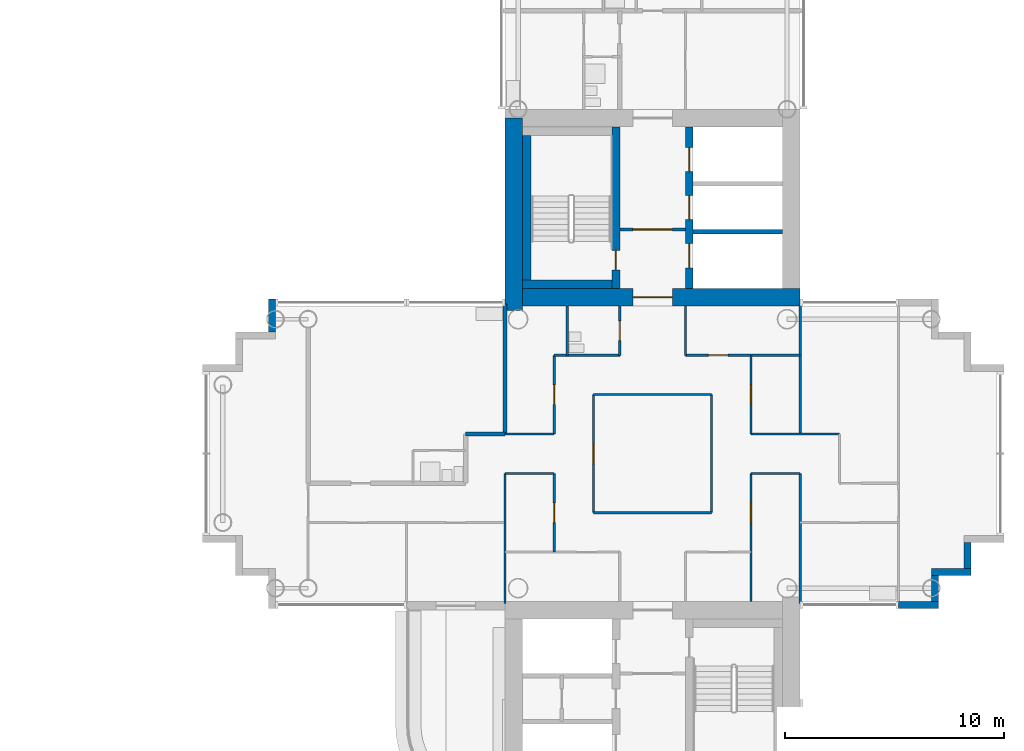
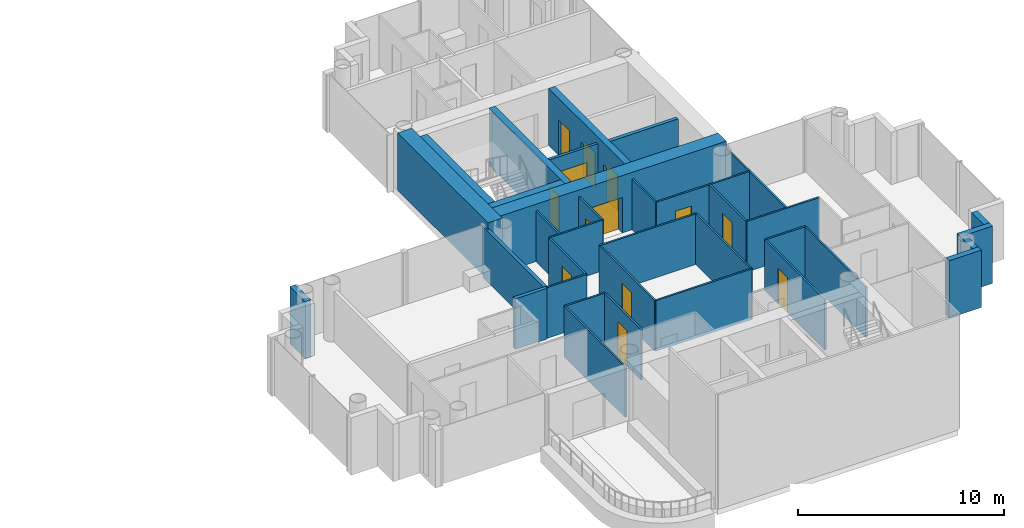
# One storey, part 11 of 19: 35 walls, 13 doors, 13 openings.
"""IFC4 building model written with IfcOpenShell, lengths in metres."""

import ifcopenshell
import ifcopenshell.guid

model = None  # the IFC model being written
_history = None  # IfcOwnerHistory: only IFC2X3 demands one
_inside = {}  # id of a spatial element -> (the spatial element, [elements in it])
_under = {}  # id of a project, library or spatial element -> (it, [spatial elements below it])
_declared = {}  # id of a project -> (the project, [libraries it declares])
_typed = {}  # id of a type object -> (the type object, [elements of that type])
_made_of = {}  # id of a material, layer set ... -> (it, [elements and type objects made of it])


def new_model(schema):
    """Start an empty IFC model of exactly this schema.

    Asked for "IFC4X3", IfcOpenShell would pick the latest addendum, in which some entities
    have other attributes; the version numbers below select the first issue.
    IFC2X3 requires an IfcOwnerHistory on every rooted entity: one is made here for all.
    """
    global model, _history
    if schema == "IFC4X3":
        model = ifcopenshell.file(schema_version=(4, 3, 0, 0))
    else:
        model = ifcopenshell.file(schema=schema)
    _inside.clear()
    _under.clear()
    _declared.clear()
    _typed.clear()
    _made_of.clear()
    _history = None
    if model.schema == "IFC2X3":
        org = make("IfcOrganization", Name="unknown")
        user = make(
            "IfcPersonAndOrganization",
            ThePerson=make("IfcPerson", FamilyName="unknown"),
            TheOrganization=org,
        )
        app = make(
            "IfcApplication",
            ApplicationDeveloper=org,
            Version="unknown",
            ApplicationFullName="unknown",
            ApplicationIdentifier="unknown",
        )
        _history = make(
            "IfcOwnerHistory",
            OwningUser=user,
            OwningApplication=app,
            ChangeAction="ADDED",
            CreationDate=0,
        )
    return model


def make(cls, **values):
    """One entity of the class cls with the attributes given. An attribute that is None is left unset."""
    return model.create_entity(
        cls, **{name: value for name, value in values.items() if value is not None}
    )


def rooted(cls, **values):
    """An entity with a GlobalId (a new one), such as an element, a storey or a relation."""
    return make(cls, GlobalId=ifcopenshell.guid.new(), OwnerHistory=_history, **values)


def si_unit(unit_type, name, prefix=None):
    """IfcSIUnit, for example si_unit("LENGTHUNIT", "METRE", prefix="MILLI")."""
    return make("IfcSIUnit", UnitType=unit_type, Prefix=prefix, Name=name)


def assignment(units):
    """IfcUnitAssignment: the units of a project."""
    return None if units is None else make("IfcUnitAssignment", Units=units)


def point(xyz):
    """IfcCartesianPoint."""
    return None if xyz is None else make("IfcCartesianPoint", Coordinates=xyz)


def direction(xyz):
    """IfcDirection."""
    return None if xyz is None else make("IfcDirection", DirectionRatios=xyz)


def frame(location, z_axis=None, x_axis=None):
    """IfcAxis2Placement3D, a coordinate frame: its origin and axes. An axis left out is left unset."""
    return make(
        "IfcAxis2Placement3D",
        Location=point(location),
        Axis=direction(z_axis),
        RefDirection=direction(x_axis),
    )


def frame_2d(location, x_axis=None):
    """IfcAxis2Placement2D, a coordinate frame in the plane: its origin and x axis."""
    return make(
        "IfcAxis2Placement2D", Location=point(location), RefDirection=direction(x_axis)
    )


def origin():
    """The frame at (0, 0, 0) with its axes left unset."""
    return frame((0.0, 0.0, 0.0))


def place(relative_to, where):
    """IfcLocalPlacement: puts the frame where relative to a parent placement (None: the world)."""
    return make(
        "IfcLocalPlacement", PlacementRelTo=relative_to, RelativePlacement=where
    )


def context(
    kind, dimensions, precision=None, world=None, true_north=None, identifier=None
):
    """IfcGeometricRepresentationContext, for example the 3D "Model" context."""
    return make(
        "IfcGeometricRepresentationContext",
        ContextIdentifier=identifier,
        ContextType=kind,
        CoordinateSpaceDimension=dimensions,
        Precision=precision,
        WorldCoordinateSystem=world,
        TrueNorth=true_north,
    )


def subcontext(parent, identifier, kind, view, scale=None):
    """IfcGeometricRepresentationSubContext, for example "Body" below "Model"."""
    return make(
        "IfcGeometricRepresentationSubContext",
        ContextIdentifier=identifier,
        ContextType=kind,
        ParentContext=parent,
        TargetScale=scale,
        TargetView=view,
    )


def project(units=None, contexts=None):
    """IfcProject with its units and contexts."""
    return rooted(
        "IfcProject",
        Name="project",
        RepresentationContexts=contexts,
        UnitsInContext=assignment(units),
    )


def spatial(cls, under=None, at=None, **own):
    """A site, building, storey or space (cls), placed at a placement, below another one or the project."""
    s = rooted(cls, ObjectPlacement=at, **own)
    if under is not None:
        _under.setdefault(under.id(), (under, []))[1].append(s)
    return s


def profile(cls, at=None, kind="AREA", **sizes):
    """A parametric profile (cls). Its sizes go by their IFC names, for example OverallWidth=200.0."""
    return make(cls, ProfileType=kind, Position=at, **sizes)


def rectangle(**sizes):
    """IfcRectangleProfileDef."""
    return profile("IfcRectangleProfileDef", **sizes)


def extrude(swept, where, along, depth):
    """IfcExtrudedAreaSolid: the profile swept, set in the frame where, extruded along a direction by depth."""
    return make(
        "IfcExtrudedAreaSolid",
        SweptArea=swept,
        Position=where,
        ExtrudedDirection=direction(along),
        Depth=depth,
    )


def shape(context_of_items, identifier, shape_type, items):
    """IfcShapeRepresentation: the items that make up one representation, for example the "Body"."""
    return make(
        "IfcShapeRepresentation",
        ContextOfItems=context_of_items,
        RepresentationIdentifier=identifier,
        RepresentationType=shape_type,
        Items=items,
    )


def material(Name=None, Category=None):
    """IfcMaterial."""
    return make("IfcMaterial", Name=Name, Category=Category)


def layer(
    of_material, thickness, ventilated=None, Name=None, Category=None, Priority=None
):
    """IfcMaterialLayer: one layer of a wall or slab, of a material (None: an air gap)."""
    return make(
        "IfcMaterialLayer",
        Material=of_material,
        LayerThickness=thickness,
        IsVentilated=ventilated,
        Name=Name,
        Category=Category,
        Priority=Priority,
    )


def layer_set(layers, Name=None):
    """IfcMaterialLayerSet."""
    return make("IfcMaterialLayerSet", MaterialLayers=layers, LayerSetName=Name)


def made_of(thing, what):
    """Note that an element or type object is made of a material, layer set ...; save() writes the relation."""
    if what is not None:
        _made_of.setdefault(what.id(), (what, []))[1].append(thing)
    return thing


def type_object(cls, material=None, **own):
    """A type object (cls), such as IfcWallType, which elements share."""
    return made_of(rooted(cls, **own), material)


def element(
    cls,
    number,
    at=None,
    inside=None,
    cuts=None,
    type_object=None,
    material=None,
    context=None,
    identifier="Body",
    shape_type=None,
    held_by="IfcProductDefinitionShape",
    body=None,
    shapes=None,
    **own,
):
    """One element of the class cls, such as IfcWall. Its Tag is "e" and its number.

    at: its placement. inside: the storey or other place that contains it. cuts: it is an
    opening in that element (IfcRelVoidsElement). A single representation is given by context,
    identifier, shape_type and body (its items); several are given by shapes. held_by: the class
    of the entity that holds the representations. save() writes the other relations.
    """
    e = rooted(cls, Tag="e%d" % number, ObjectPlacement=at, **own)
    if body is not None:
        shapes = [shape(context, identifier, shape_type, body)]
    if shapes is not None:
        e.Representation = make(held_by, Representations=shapes)
    if inside is not None:
        _inside.setdefault(inside.id(), (inside, []))[1].append(e)
    if cuts is not None:
        rooted(
            "IfcRelVoidsElement", RelatingBuildingElement=cuts, RelatedOpeningElement=e
        )
    if type_object is not None:
        _typed.setdefault(type_object.id(), (type_object, []))[1].append(e)
    return made_of(e, material)


def fill(opening, filler):
    """IfcRelFillsElement: the door or window that sits in an opening."""
    return rooted(
        "IfcRelFillsElement",
        RelatingOpeningElement=opening,
        RelatedBuildingElement=filler,
    )


def aggregate(whole, parts):
    """IfcRelAggregates: a whole, such as a stair, and the parts it consists of."""
    return rooted("IfcRelAggregates", RelatingObject=whole, RelatedObjects=parts)


def save(model, path):
    """Write the relations noted so far, then the file.

    IfcRelAggregates (storeys below a building ...), IfcRelContainedInSpatialStructure (elements
    in a storey), IfcRelDefinesByType, IfcRelAssociatesMaterial and IfcRelDeclares: one each for
    every whole, place, type object, material and project.
    """
    for whole, parts in _under.values():
        aggregate(whole, parts)
    for where, things in _inside.values():
        rooted(
            "IfcRelContainedInSpatialStructure",
            RelatedElements=things,
            RelatingStructure=where,
        )
    for kind, things in _typed.values():
        rooted("IfcRelDefinesByType", RelatedObjects=things, RelatingType=kind)
    for what, things in _made_of.values():
        rooted("IfcRelAssociatesMaterial", RelatedObjects=things, RelatingMaterial=what)
    for by, libraries in _declared.values():
        rooted("IfcRelDeclares", RelatingContext=by, RelatedDefinitions=libraries)
    model.write(path)


model = new_model("IFC4")

# Units and contexts
model_context = context("Model", 3, precision=1e-05, world=origin(), true_north=direction((0.0, 1.0)))
body_context = subcontext(model_context, "Body", "Model", "MODEL_VIEW")
ifc_project = project(units=[si_unit("LENGTHUNIT", "METRE"), si_unit("AREAUNIT", "SQUARE_METRE"), si_unit("VOLUMEUNIT", "CUBIC_METRE"), si_unit("PLANEANGLEUNIT", "RADIAN"), si_unit("MASSUNIT", "GRAM", prefix="KILO")], contexts=[model_context])

# Site, building, storey
site_placement = place(None, origin())
site = spatial("IfcSite", under=ifc_project, at=site_placement, CompositionType="ELEMENT")
building_placement = place(site_placement, origin())
building = spatial("IfcBuilding", under=site, at=building_placement, Name="Ipe Terrace Towers", CompositionType="ELEMENT")
storey_placement = place(building_placement, frame((0.0, 0.0, 147.300048828125)))
storey = spatial("IfcBuildingStorey", under=building, at=storey_placement, Name="L40", CompositionType="ELEMENT", Elevation=147.300048828125)

# Walls
ifc_material_1 = material(Name="Concrete C40/50 with buff precast cladding", Category="concrete")
ifc_layer_1 = layer(ifc_material_1, 0.320068359375)
ifc_layer_set_1 = layer_set([ifc_layer_1], Name="BUFF CLADDING WALL 320")
wall_type_1 = type_object("IfcWallType", Name="BUFF CLADDING WALL 320", PredefinedType="STANDARD", material=ifc_layer_set_1)
wall_1_placement = place(storey_placement, frame((47.25, -6.909912109375, -0.300048828125), z_axis=(0.0, 0.0, 1.0), x_axis=(1.0, 0.0, 0.0)))
element("IfcWall", 1, at=wall_1_placement, inside=storey, type_object=wall_type_1, Name="T2-W-L40-03a wall", PredefinedType="STANDARD", context=body_context, shape_type="SweptSolid", body=[
    extrude(rectangle(XDim=1.820068359375, YDim=0.320068359375, at=frame_2d((0.91015625, 0.0))), origin(), (0.0, 0.0, 1.0), 3.39990234375),
])
wall_2_placement = place(storey_placement, frame((48.909912109375, -6.75, -0.300048828125), z_axis=(0.0, 0.0, 1.0), x_axis=(0.0, 1.0, 0.0)))
element("IfcWall", 2, at=wall_2_placement, inside=storey, type_object=wall_type_1, Name="T2-W-L40-04a wall", PredefinedType="STANDARD", context=body_context, shape_type="SweptSolid", body=[
    extrude(rectangle(XDim=1.179931640625, YDim=0.320068359375, at=frame_2d((0.58984375, 0.0))), origin(), (0.0, 0.0, 1.0), 3.39990234375),
])
wall_3_placement = place(storey_placement, frame((48.75, -5.409912109375, -0.300048828125), z_axis=(0.0, 0.0, 1.0), x_axis=(1.0, 0.0, 0.0)))
element("IfcWall", 3, at=wall_3_placement, inside=storey, type_object=wall_type_1, Name="T2-W-L40-05a wall", PredefinedType="STANDARD", context=body_context, shape_type="SweptSolid", body=[
    extrude(rectangle(XDim=1.820068359375, YDim=0.320068359375, at=frame_2d((0.91015625, 0.0))), origin(), (0.0, 0.0, 1.0), 3.39990234375),
])
wall_4_placement = place(storey_placement, frame((50.409912109375, -5.25, -0.300048828125), z_axis=(0.0, 0.0, 1.0), x_axis=(0.0, 1.0, 0.0)))
element("IfcWall", 4, at=wall_4_placement, inside=storey, type_object=wall_type_1, Name="T2-W-L40-06a wall", PredefinedType="STANDARD", context=body_context, shape_type="SweptSolid", body=[
    extrude(rectangle(XDim=1.179931640625, YDim=0.320068359375, at=frame_2d((0.58984375, 0.0))), origin(), (0.0, 0.0, 1.0), 3.39990234375),
])
wall_5_placement = place(storey_placement, frame((18.590087890625, 7.070068359375, -0.300048828125), z_axis=(0.0, 0.0, 1.0), x_axis=(0.0, -1.0, 0.0)))
element("IfcWall", 5, at=wall_5_placement, inside=storey, type_object=wall_type_1, Name="T2-W-L40-30a wall", PredefinedType="STANDARD", context=body_context, shape_type="SweptSolid", body=[
    extrude(rectangle(XDim=1.5, YDim=0.320068359375, at=frame_2d((0.75, 0.0))), origin(), (0.0, 0.0, 1.0), 3.39990234375),
])
ifc_material_2 = material(Name="Gypsum board partition", Category="plasterboard")
ifc_layer_2 = layer(ifc_material_2, 0.10009765625)
ifc_layer_set_2 = layer_set([ifc_layer_2], Name="Gypsum board partition 100 mm")
wall_type_2 = type_object("IfcWallType", Name="Gypsum board partition 100 mm", PredefinedType="PARTITIONING", material=ifc_layer_set_2)
wall_6_placement = place(storey_placement, frame((38.699951171875, -2.699951171875, 0.0), z_axis=(0.0, 0.0, 1.0), x_axis=(-1.0, 0.0, 0.0)))
element("IfcWall", 6, at=wall_6_placement, inside=storey, type_object=wall_type_2, Name="Gypsum board partition T2 L40 W05", PredefinedType="PARTITIONING", context=body_context, shape_type="SweptSolid", body=[
    extrude(rectangle(XDim=5.39990234375, YDim=0.10009765625, at=frame_2d((2.699951171875, 0.0))), origin(), (0.0, 0.0, 1.0), 3.0),
])
for number, where, z_axis, x_axis, name in (
    (7, (42.75, -0.89990234375, 0.0), (0.0, 0.0, 1.0), (-1.0, 0.0, 0.0), "Gypsum board partition T2 L40 W08"),
    (8, (31.5, -0.89990234375, 0.0), (0.0, 0.0, 1.0), (-1.0, 0.0, 0.0), "Gypsum board partition T2 L40 W09"),
):
    element("IfcWall", number, at=place(storey_placement, frame(where, z_axis=z_axis, x_axis=x_axis)), inside=storey, type_object=wall_type_2, Name=name, PredefinedType="PARTITIONING", context=body_context, shape_type="SweptSolid", body=[
        extrude(rectangle(XDim=2.25, YDim=0.10009765625, at=frame_2d((1.125, 0.0))), origin(), (0.0, 0.0, 1.0), 3.0),
    ])
wall_7_placement = place(storey_placement, frame((44.550048828125, 0.89990234375, 0.0), z_axis=(0.0, 0.0, 1.0), x_axis=(-1.0, 0.0, 0.0)))
element("IfcWall", 9, at=wall_7_placement, inside=storey, type_object=wall_type_2, Name="Gypsum board partition T2 L40 W11", PredefinedType="PARTITIONING", context=body_context, shape_type="SweptSolid", body=[
    extrude(rectangle(XDim=4.050048828125, YDim=0.10009765625, at=frame_2d((2.02490234375, 0.0))), origin(), (0.0, 0.0, 1.0), 3.0),
])
wall_8_placement = place(storey_placement, frame((31.5, 0.89990234375, 0.0), z_axis=(0.0, 0.0, 1.0), x_axis=(-1.0, 0.0, 0.0)))
element("IfcWall", 10, at=wall_8_placement, inside=storey, type_object=wall_type_2, Name="Gypsum board partition T2 L40 W12", PredefinedType="PARTITIONING", context=body_context, shape_type="SweptSolid", body=[
    extrude(rectangle(XDim=2.25, YDim=0.10009765625, at=frame_2d((1.125, 0.0))), origin(), (0.0, 0.0, 1.0), 3.0),
])
wall_9_placement = place(storey_placement, frame((38.699951171875, 2.699951171875, 0.0), z_axis=(0.0, 0.0, 1.0), x_axis=(-1.0, 0.0, 0.0)))
element("IfcWall", 11, at=wall_9_placement, inside=storey, type_object=wall_type_2, Name="Gypsum board partition T2 L40 W14", PredefinedType="PARTITIONING", context=body_context, shape_type="SweptSolid", body=[
    extrude(rectangle(XDim=5.39990234375, YDim=0.10009765625, at=frame_2d((2.699951171875, 0.0))), origin(), (0.0, 0.0, 1.0), 3.0),
])

# Wall, opening, door
wall_10_placement = place(storey_placement, frame((42.75, 4.5, 0.0), z_axis=(0.0, 0.0, 1.0), x_axis=(-1.0, 0.0, 0.0)))
wall_10 = element("IfcWall", 12, at=wall_10_placement, inside=storey, type_object=wall_type_2, Name="Gypsum board partition T2 L40 W15", PredefinedType="PARTITIONING", context=body_context, shape_type="SweptSolid", body=[
    extrude(rectangle(XDim=5.25, YDim=0.10009765625, at=frame_2d((2.625, 0.0))), origin(), (0.0, 0.0, 1.0), 3.0),
])
opening_1_placement = place(wall_10_placement, frame((3.300048828125, 0.0, 0.0)))
opening_1 = element("IfcOpeningElement", 13, at=opening_1_placement, cuts=wall_10, Name="Opening T2-Z3B-09", PredefinedType="OPENING", context=body_context, shape_type="SweptSolid", body=[
    extrude(rectangle(XDim=0.89990234375, YDim=2.10009765625, at=frame_2d((0.449951171875, 1.050048828125))), frame((0.0, 0.06005859375, 0.0), z_axis=(0.0, -1.0, 0.0), x_axis=(1.0, 0.0, 0.0)), (0.0, 0.0, 1.0), 0.1201171875),
])
ifc_material_3 = material(Name="Timber door leaf", Category="wood")
door_type_1 = type_object("IfcDoorType", Name="Lounge door 900 x 2100", OperationType="NOTDEFINED", PredefinedType="DOOR", material=ifc_material_3)
door_1_placement = place(opening_1_placement, origin())
door_1 = element("IfcDoor", 14, at=door_1_placement, inside=storey, type_object=door_type_1, Name="Lounge door T2-Z3B-09", OperationType="SINGLE_SWING_RIGHT", OverallHeight=2.10009765625, OverallWidth=0.89990234375, PredefinedType="DOOR", context=body_context, shape_type="SweptSolid", body=[
    extrude(rectangle(XDim=0.89990234375, YDim=2.10009765625, at=frame_2d((0.449951171875, 1.050048828125))), frame((0.0, 0.02490234375, 0.0), z_axis=(0.0, -1.0, 0.0), x_axis=(1.0, 0.0, 0.0)), (0.0, 0.0, 1.0), 0.050048828125),
])
fill(opening_1, door_1)

# Walls
wall_11_placement = place(storey_placement, frame((34.5, 4.5, 0.0), z_axis=(0.0, 0.0, 1.0), x_axis=(-1.0, 0.0, 0.0)))
element("IfcWall", 15, at=wall_11_placement, inside=storey, type_object=wall_type_2, Name="Gypsum board partition T2 L40 W16", PredefinedType="PARTITIONING", context=body_context, shape_type="SweptSolid", body=[
    extrude(rectangle(XDim=3.0, YDim=0.10009765625, at=frame_2d((1.5, 0.0))), origin(), (0.0, 0.0, 1.0), 3.0),
])
for number, where, z_axis, x_axis, name in (
    (16, (42.75, -6.85009765625, 0.0), (0.0, 0.0, 1.0), (0.0, 1.0, 0.0), "Gypsum board partition T2 L40 W22"),
    (17, (42.75, 0.89990234375, 0.0), (0.0, 0.0, 1.0), (0.0, 1.0, 0.0), "Gypsum board partition T2 L40 W23"),
):
    element("IfcWall", number, at=place(storey_placement, frame(where, z_axis=z_axis, x_axis=x_axis)), inside=storey, type_object=wall_type_2, Name=name, PredefinedType="PARTITIONING", context=body_context, shape_type="SweptSolid", body=[
        extrude(rectangle(XDim=5.9501953125, YDim=0.10009765625, at=frame_2d((2.97509765625, 0.0))), origin(), (0.0, 0.0, 1.0), 3.0),
    ])

# Wall, opening, door
wall_12_placement = place(storey_placement, frame((40.5, -6.75, 0.0), z_axis=(0.0, 0.0, 1.0), x_axis=(0.0, 1.0, 0.0)))
wall_12 = element("IfcWall", 18, at=wall_12_placement, inside=storey, type_object=wall_type_2, Name="Gypsum board partition T2 L40 W24", PredefinedType="PARTITIONING", context=body_context, shape_type="SweptSolid", body=[
    extrude(rectangle(XDim=5.85009765625, YDim=0.10009765625, at=frame_2d((2.925048828125, 0.0))), origin(), (0.0, 0.0, 1.0), 3.0),
])
opening_2_placement = place(wall_12_placement, frame((3.60009765625, 0.0, 0.0)))
opening_2 = element("IfcOpeningElement", 19, at=opening_2_placement, cuts=wall_12, Name="Opening T2-Z3B-06", PredefinedType="OPENING", context=body_context, shape_type="SweptSolid", body=[
    extrude(rectangle(XDim=0.89990234375, YDim=2.10009765625, at=frame_2d((0.449951171875, 1.050048828125))), frame((0.0, 0.06005859375, 0.0), z_axis=(0.0, -1.0, 0.0), x_axis=(1.0, 0.0, 0.0)), (0.0, 0.0, 1.0), 0.1201171875),
])
door_2_placement = place(opening_2_placement, origin())
door_2 = element("IfcDoor", 20, at=door_2_placement, inside=storey, type_object=door_type_1, Name="Lounge door T2-Z3B-06", OperationType="SINGLE_SWING_RIGHT", OverallHeight=2.10009765625, OverallWidth=0.89990234375, PredefinedType="DOOR", context=body_context, shape_type="SweptSolid", body=[
    extrude(rectangle(XDim=0.89990234375, YDim=2.10009765625, at=frame_2d((0.449951171875, 1.050048828125))), frame((0.0, 0.02490234375, 0.0), z_axis=(0.0, -1.0, 0.0), x_axis=(1.0, 0.0, 0.0)), (0.0, 0.0, 1.0), 0.050048828125),
])
fill(opening_2, door_2)

wall_13_placement = place(storey_placement, frame((40.5, 0.89990234375, 0.0), z_axis=(0.0, 0.0, 1.0), x_axis=(0.0, 1.0, 0.0)))
wall_13 = element("IfcWall", 21, at=wall_13_placement, inside=storey, type_object=wall_type_2, Name="Gypsum board partition T2 L40 W25", PredefinedType="PARTITIONING", context=body_context, shape_type="SweptSolid", body=[
    extrude(rectangle(XDim=3.60009765625, YDim=0.10009765625, at=frame_2d((1.800048828125, 0.0))), origin(), (0.0, 0.0, 1.0), 3.0),
])
opening_3_placement = place(wall_13_placement, frame((1.35009765625, 0.0, 0.0)))
opening_3 = element("IfcOpeningElement", 22, at=opening_3_placement, cuts=wall_13, Name="Opening T2-Z3B-08", PredefinedType="OPENING", context=body_context, shape_type="SweptSolid", body=[
    extrude(rectangle(XDim=0.89990234375, YDim=2.10009765625, at=frame_2d((0.449951171875, 1.050048828125))), frame((0.0, 0.06005859375, 0.0), z_axis=(0.0, -1.0, 0.0), x_axis=(1.0, 0.0, 0.0)), (0.0, 0.0, 1.0), 0.1201171875),
])
door_3_placement = place(opening_3_placement, origin())
door_3 = element("IfcDoor", 23, at=door_3_placement, inside=storey, type_object=door_type_1, Name="Lounge door T2-Z3B-08", OperationType="SINGLE_SWING_RIGHT", OverallHeight=2.10009765625, OverallWidth=0.89990234375, PredefinedType="DOOR", context=body_context, shape_type="SweptSolid", body=[
    extrude(rectangle(XDim=0.89990234375, YDim=2.10009765625, at=frame_2d((0.449951171875, 1.050048828125))), frame((0.0, 0.02490234375, 0.0), z_axis=(0.0, -1.0, 0.0), x_axis=(1.0, 0.0, 0.0)), (0.0, 0.0, 1.0), 0.050048828125),
])
fill(opening_3, door_3)

# Walls
wall_14_placement = place(storey_placement, frame((38.699951171875, -2.699951171875, 0.0), z_axis=(0.0, 0.0, 1.0), x_axis=(0.0, 1.0, 0.0)))
element("IfcWall", 24, at=wall_14_placement, inside=storey, type_object=wall_type_2, Name="Gypsum board partition T2 L40 W26", PredefinedType="PARTITIONING", context=body_context, shape_type="SweptSolid", body=[
    extrude(rectangle(XDim=5.39990234375, YDim=0.10009765625, at=frame_2d((2.699951171875, 0.0))), origin(), (0.0, 0.0, 1.0), 3.0),
])
wall_15_placement = place(storey_placement, frame((37.5, 4.5, 0.0), z_axis=(0.0, 0.0, 1.0), x_axis=(0.0, 1.0, 0.0)))
element("IfcWall", 25, at=wall_15_placement, inside=storey, type_object=wall_type_2, Name="Gypsum board partition T2 L40 W29", PredefinedType="PARTITIONING", context=body_context, shape_type="SweptSolid", body=[
    extrude(rectangle(XDim=2.25, YDim=0.10009765625, at=frame_2d((1.125, 0.0))), origin(), (0.0, 0.0, 1.0), 3.0),
])

# Wall, opening, door
wall_16_placement = place(storey_placement, frame((34.5, 4.5, 0.0), z_axis=(0.0, 0.0, 1.0), x_axis=(0.0, 1.0, 0.0)))
wall_16 = element("IfcWall", 26, at=wall_16_placement, inside=storey, type_object=wall_type_2, Name="Gypsum board partition T2 L40 W33", PredefinedType="PARTITIONING", context=body_context, shape_type="SweptSolid", body=[
    extrude(rectangle(XDim=2.25, YDim=0.10009765625, at=frame_2d((1.125, 0.0))), origin(), (0.0, 0.0, 1.0), 3.0),
])
opening_4_placement = place(wall_16_placement, frame((0.675048828125, 0.0, 0.0)))
opening_4 = element("IfcOpeningElement", 27, at=opening_4_placement, cuts=wall_16, Name="Opening T2-Z3B-02", PredefinedType="OPENING", context=body_context, shape_type="SweptSolid", body=[
    extrude(rectangle(XDim=0.89990234375, YDim=2.10009765625, at=frame_2d((0.449951171875, 1.050048828125))), frame((0.0, 0.06005859375, 0.0), z_axis=(0.0, -1.0, 0.0), x_axis=(1.0, 0.0, 0.0)), (0.0, 0.0, 1.0), 0.1201171875),
])
ifc_material_4 = material(Name="Timber door leaf", Category="wood")
door_type_2 = type_object("IfcDoorType", Name="Bathroom door 900 x 2100", OperationType="NOTDEFINED", PredefinedType="DOOR", material=ifc_material_4)
door_4_placement = place(opening_4_placement, origin())
door_4 = element("IfcDoor", 28, at=door_4_placement, inside=storey, type_object=door_type_2, Name="Bathroom door T2-Z3B-02", OperationType="SINGLE_SWING_LEFT", OverallHeight=2.10009765625, OverallWidth=0.89990234375, PredefinedType="DOOR", context=body_context, shape_type="SweptSolid", body=[
    extrude(rectangle(XDim=0.89990234375, YDim=2.10009765625, at=frame_2d((0.449951171875, 1.050048828125))), frame((0.0, 0.02490234375, 0.0), z_axis=(0.0, -1.0, 0.0), x_axis=(1.0, 0.0, 0.0)), (0.0, 0.0, 1.0), 0.050048828125),
])
fill(opening_4, door_4)

wall_17_placement = place(storey_placement, frame((33.300048828125, -2.699951171875, 0.0), z_axis=(0.0, 0.0, 1.0), x_axis=(0.0, 1.0, 0.0)))
wall_17 = element("IfcWall", 29, at=wall_17_placement, inside=storey, type_object=wall_type_2, Name="Gypsum board partition T2 L40 W36", PredefinedType="PARTITIONING", context=body_context, shape_type="SweptSolid", body=[
    extrude(rectangle(XDim=5.39990234375, YDim=0.10009765625, at=frame_2d((2.699951171875, 0.0))), origin(), (0.0, 0.0, 1.0), 3.0),
])
opening_5_placement = place(wall_17_placement, frame((2.25, 0.0, 0.0)))
opening_5 = element("IfcOpeningElement", 30, at=opening_5_placement, cuts=wall_17, Name="Opening T2-Z3B-01", PredefinedType="OPENING", context=body_context, shape_type="SweptSolid", body=[
    extrude(rectangle(XDim=0.89990234375, YDim=2.10009765625, at=frame_2d((0.449951171875, 1.050048828125))), frame((0.0, 0.06005859375, 0.0), z_axis=(0.0, -1.0, 0.0), x_axis=(1.0, 0.0, 0.0)), (0.0, 0.0, 1.0), 0.1201171875),
])
door_5_placement = place(opening_5_placement, origin())
door_5 = element("IfcDoor", 31, at=door_5_placement, inside=storey, type_object=door_type_1, Name="Lounge door T2-Z3B-01", OperationType="SINGLE_SWING_RIGHT", OverallHeight=2.10009765625, OverallWidth=0.89990234375, PredefinedType="DOOR", context=body_context, shape_type="SweptSolid", body=[
    extrude(rectangle(XDim=0.89990234375, YDim=2.10009765625, at=frame_2d((0.449951171875, 1.050048828125))), frame((0.0, 0.02490234375, 0.0), z_axis=(0.0, -1.0, 0.0), x_axis=(1.0, 0.0, 0.0)), (0.0, 0.0, 1.0), 0.050048828125),
])
fill(opening_5, door_5)

# Wall
wall_18_placement = place(storey_placement, frame((32.10009765625, 4.5, 0.0), z_axis=(0.0, 0.0, 1.0), x_axis=(0.0, 1.0, 0.0)))
element("IfcWall", 32, at=wall_18_placement, inside=storey, type_object=wall_type_2, Name="Gypsum board partition T2 L40 W38", PredefinedType="PARTITIONING", context=body_context, shape_type="SweptSolid", body=[
    extrude(rectangle(XDim=2.25, YDim=0.10009765625, at=frame_2d((1.125, 0.0))), origin(), (0.0, 0.0, 1.0), 3.0),
])

# Wall, opening, door
wall_19_placement = place(storey_placement, frame((31.5, -4.5, 0.0), z_axis=(0.0, 0.0, 1.0), x_axis=(0.0, 1.0, 0.0)))
wall_19 = element("IfcWall", 33, at=wall_19_placement, inside=storey, type_object=wall_type_2, Name="Gypsum board partition T2 L40 W39", PredefinedType="PARTITIONING", context=body_context, shape_type="SweptSolid", body=[
    extrude(rectangle(XDim=3.60009765625, YDim=0.10009765625, at=frame_2d((1.800048828125, 0.0))), origin(), (0.0, 0.0, 1.0), 3.0),
])
opening_6_placement = place(wall_19_placement, frame((1.35009765625, 0.0, 0.0)))
opening_6 = element("IfcOpeningElement", 34, at=opening_6_placement, cuts=wall_19, Name="Opening T2-Z3B-04", PredefinedType="OPENING", context=body_context, shape_type="SweptSolid", body=[
    extrude(rectangle(XDim=0.89990234375, YDim=2.10009765625, at=frame_2d((0.449951171875, 1.050048828125))), frame((0.0, 0.06005859375, 0.0), z_axis=(0.0, -1.0, 0.0), x_axis=(1.0, 0.0, 0.0)), (0.0, 0.0, 1.0), 0.1201171875),
])
door_6_placement = place(opening_6_placement, origin())
door_6 = element("IfcDoor", 35, at=door_6_placement, inside=storey, type_object=door_type_1, Name="Lounge door T2-Z3B-04", OperationType="SINGLE_SWING_RIGHT", OverallHeight=2.10009765625, OverallWidth=0.89990234375, PredefinedType="DOOR", context=body_context, shape_type="SweptSolid", body=[
    extrude(rectangle(XDim=0.89990234375, YDim=2.10009765625, at=frame_2d((0.449951171875, 1.050048828125))), frame((0.0, 0.02490234375, 0.0), z_axis=(0.0, -1.0, 0.0), x_axis=(1.0, 0.0, 0.0)), (0.0, 0.0, 1.0), 0.050048828125),
])
fill(opening_6, door_6)

wall_20_placement = place(storey_placement, frame((31.5, 0.89990234375, 0.0), z_axis=(0.0, 0.0, 1.0), x_axis=(0.0, 1.0, 0.0)))
wall_20 = element("IfcWall", 36, at=wall_20_placement, inside=storey, type_object=wall_type_2, Name="Gypsum board partition T2 L40 W40", PredefinedType="PARTITIONING", context=body_context, shape_type="SweptSolid", body=[
    extrude(rectangle(XDim=3.60009765625, YDim=0.10009765625, at=frame_2d((1.800048828125, 0.0))), origin(), (0.0, 0.0, 1.0), 3.0),
])
opening_7_placement = place(wall_20_placement, frame((1.35009765625, 0.0, 0.0)))
opening_7 = element("IfcOpeningElement", 37, at=opening_7_placement, cuts=wall_20, Name="Opening T2-Z3B-03", PredefinedType="OPENING", context=body_context, shape_type="SweptSolid", body=[
    extrude(rectangle(XDim=0.89990234375, YDim=2.10009765625, at=frame_2d((0.449951171875, 1.050048828125))), frame((0.0, 0.06005859375, 0.0), z_axis=(0.0, -1.0, 0.0), x_axis=(1.0, 0.0, 0.0)), (0.0, 0.0, 1.0), 0.1201171875),
])
door_7_placement = place(opening_7_placement, origin())
door_7 = element("IfcDoor", 38, at=door_7_placement, inside=storey, type_object=door_type_1, Name="Lounge door T2-Z3B-03", OperationType="SINGLE_SWING_LEFT", OverallHeight=2.10009765625, OverallWidth=0.89990234375, PredefinedType="DOOR", context=body_context, shape_type="SweptSolid", body=[
    extrude(rectangle(XDim=0.89990234375, YDim=2.10009765625, at=frame_2d((0.449951171875, 1.050048828125))), frame((0.0, 0.02490234375, 0.0), z_axis=(0.0, -1.0, 0.0), x_axis=(1.0, 0.0, 0.0)), (0.0, 0.0, 1.0), 0.050048828125),
])
fill(opening_7, door_7)

# Wall
wall_21_placement = place(storey_placement, frame((29.25, -6.85009765625, 0.0), z_axis=(0.0, 0.0, 1.0), x_axis=(0.0, 1.0, 0.0)))
element("IfcWall", 39, at=wall_21_placement, inside=storey, type_object=wall_type_2, Name="Gypsum board partition T2 L40 W41", PredefinedType="PARTITIONING", context=body_context, shape_type="SweptSolid", body=[
    extrude(rectangle(XDim=5.9501953125, YDim=0.10009765625, at=frame_2d((2.97509765625, 0.0))), origin(), (0.0, 0.0, 1.0), 3.0),
])

# Wall, opening, door
ifc_material_5 = material(Name="Gypsum board partition", Category="plasterboard")
ifc_layer_3 = layer(ifc_material_5, 0.14990234375)
ifc_layer_set_3 = layer_set([ifc_layer_3], Name="Gypsum board partition 150 mm")
wall_type_3 = type_object("IfcWallType", Name="Gypsum board partition 150 mm", PredefinedType="PARTITIONING", material=ifc_layer_set_3)
wall_22_placement = place(storey_placement, frame((37.5, 10.25, 0.0), z_axis=(0.0, 0.0, 1.0), x_axis=(-1.0, 0.0, 0.0)))
wall_22 = element("IfcWall", 40, at=wall_22_placement, inside=storey, type_object=wall_type_3, Name="Gypsum board partition T2 L40 t2c1-lobby-wall", PredefinedType="PARTITIONING", context=body_context, shape_type="SweptSolid", body=[
    extrude(rectangle(XDim=3.0, YDim=0.14990234375, at=frame_2d((1.5, 0.0))), origin(), (0.0, 0.0, 1.0), 3.0),
])
opening_8_placement = place(wall_22_placement, frame((0.60009765625, 0.0, 0.0)))
opening_8 = element("IfcOpeningElement", 41, at=opening_8_placement, cuts=wall_22, Name="Opening T2C1-VD", PredefinedType="OPENING", context=body_context, shape_type="SweptSolid", body=[
    extrude(rectangle(XDim=1.800048828125, YDim=2.10009765625, at=frame_2d((0.89990234375, 1.050048828125))), frame((0.0, 0.0849609375, 0.0), z_axis=(0.0, -1.0, 0.0), x_axis=(1.0, 0.0, 0.0)), (0.0, 0.0, 1.0), 0.169921875),
])
ifc_material_6 = material(Name="Fire-rated timber door leaf", Category="wood")
door_type_3 = type_object("IfcDoorType", Name="Lobby door 1800 x 2100 FD60", OperationType="NOTDEFINED", PredefinedType="DOOR", material=ifc_material_6)
door_8_placement = place(opening_8_placement, origin())
door_8 = element("IfcDoor", 42, at=door_8_placement, inside=storey, type_object=door_type_3, Name="Lobby door T2C1-VD", OperationType="SINGLE_SWING_LEFT", OverallHeight=2.10009765625, OverallWidth=1.800048828125, PredefinedType="DOOR", context=body_context, shape_type="SweptSolid", body=[
    extrude(rectangle(XDim=1.800048828125, YDim=2.10009765625, at=frame_2d((0.89990234375, 1.050048828125))), frame((0.0, 0.02490234375, 0.0), z_axis=(0.0, -1.0, 0.0), x_axis=(1.0, 0.0, 0.0)), (0.0, 0.0, 1.0), 0.050048828125),
])
fill(opening_8, door_8)

# Walls
ifc_material_7 = material(Name="Gypsum board party wall", Category="plasterboard")
ifc_layer_4 = layer(ifc_material_7, 0.199951171875)
ifc_layer_set_4 = layer_set([ifc_layer_4], Name="Gypsum board party wall 200 mm")
wall_type_4 = type_object("IfcWallType", Name="Gypsum board party wall 200 mm", PredefinedType="SOLIDWALL", material=ifc_layer_set_4)
wall_23_placement = place(storey_placement, frame((41.949951171875, 10.14990234375, 0.0), z_axis=(0.0, 0.0, 1.0), x_axis=(-1.0, 0.0, 0.0)))
element("IfcWall", 43, at=wall_23_placement, inside=storey, type_object=wall_type_4, Name="Gypsum board party wall T2 L40 t2c1-shaft-div1", PredefinedType="SOLIDWALL", context=body_context, shape_type="SweptSolid", body=[
    extrude(rectangle(XDim=4.099853515625, YDim=0.199951171875, at=frame_2d((2.0498046875, 0.0))), origin(), (0.0, 0.0, 1.0), 3.0),
])
wall_24_placement = place(storey_placement, frame((29.25, 0.89990234375, 0.0), z_axis=(0.0, 0.0, 1.0), x_axis=(-1.0, 0.0, 0.0)))
element("IfcWall", 44, at=wall_24_placement, inside=storey, type_object=wall_type_4, Name="Gypsum board party wall T2 L40 W13", PredefinedType="SOLIDWALL", context=body_context, shape_type="SweptSolid", body=[
    extrude(rectangle(XDim=1.800048828125, YDim=0.199951171875, at=frame_2d((0.89990234375, 0.0))), origin(), (0.0, 0.0, 1.0), 3.0),
])
wall_25_placement = place(storey_placement, frame((29.25, 0.89990234375, 0.0), z_axis=(0.0, 0.0, 1.0), x_axis=(0.0, 1.0, 0.0)))
element("IfcWall", 45, at=wall_25_placement, inside=storey, type_object=wall_type_4, Name="Gypsum board party wall T2 L40 W42", PredefinedType="SOLIDWALL", context=body_context, shape_type="SweptSolid", body=[
    extrude(rectangle(XDim=5.9501953125, YDim=0.199951171875, at=frame_2d((2.97509765625, 0.0))), origin(), (0.0, 0.0, 1.0), 3.0),
])

# Wall, opening, door
ifc_material_8 = material(Name="Concrete C50/60", Category="concrete")
ifc_layer_5 = layer(ifc_material_8, 0.35009765625)
ifc_layer_set_5 = layer_set([ifc_layer_5], Name="RW350 CORE SPINE WALL 350 C50-60")
wall_type_5 = type_object("IfcWallType", Name="RW350 CORE SPINE WALL 350 C50-60", PredefinedType="SHEAR", material=ifc_layer_set_5)
wall_26_placement = place(storey_placement, frame((34.324951171875, 7.550048828125, 0.0), z_axis=(0.0, 0.0, 1.0), x_axis=(0.0, 1.0, 0.0)))
wall_26 = element("IfcWall", 46, at=wall_26_placement, inside=storey, type_object=wall_type_5, Name="Core spine wall T2-C1-Z3-SW1", PredefinedType="SHEAR", context=body_context, shape_type="SweptSolid", body=[
    extrude(rectangle(XDim=7.39990234375, YDim=0.35009765625, at=frame_2d((3.699951171875, 0.0))), origin(), (0.0, 0.0, 1.0), 3.39990234375),
])
opening_9_placement = place(wall_26_placement, frame((0.85009765625, 0.0, 0.0)))
opening_9 = element("IfcOpeningElement", 47, at=opening_9_placement, cuts=wall_26, Name="Opening T2C1-SD", PredefinedType="OPENING", context=body_context, shape_type="SweptSolid", body=[
    extrude(rectangle(XDim=0.89990234375, YDim=2.10009765625, at=frame_2d((0.449951171875, 1.050048828125))), frame((0.0, 0.18505859375, 0.0), z_axis=(0.0, -1.0, 0.0), x_axis=(1.0, 0.0, 0.0)), (0.0, 0.0, 1.0), 0.3701171875),
])
ifc_material_9 = material(Name="Fire-rated timber door leaf", Category="wood")
door_type_4 = type_object("IfcDoorType", Name="Stair door 900 x 2100 FD60", OperationType="NOTDEFINED", PredefinedType="DOOR", material=ifc_material_9)
door_9_placement = place(opening_9_placement, origin())
door_9 = element("IfcDoor", 48, at=door_9_placement, inside=storey, type_object=door_type_4, Name="Stair door T2C1-SD", OperationType="SINGLE_SWING_LEFT", OverallHeight=2.10009765625, OverallWidth=0.89990234375, PredefinedType="DOOR", context=body_context, shape_type="SweptSolid", body=[
    extrude(rectangle(XDim=0.89990234375, YDim=2.10009765625, at=frame_2d((0.449951171875, 1.050048828125))), frame((0.0, 0.02490234375, 0.0), z_axis=(0.0, -1.0, 0.0), x_axis=(1.0, 0.0, 0.0)), (0.0, 0.0, 1.0), 0.050048828125),
])
fill(opening_9, door_9)

# Wall, openings, doors
wall_27_placement = place(storey_placement, frame((37.675048828125, 7.550048828125, 0.0), z_axis=(0.0, 0.0, 1.0), x_axis=(0.0, 1.0, 0.0)))
wall_27 = element("IfcWall", 49, at=wall_27_placement, inside=storey, type_object=wall_type_5, Name="Core spine wall T2-C1-Z3-SW2", PredefinedType="SHEAR", context=body_context, shape_type="SweptSolid", body=[
    extrude(rectangle(XDim=7.39990234375, YDim=0.35009765625, at=frame_2d((3.699951171875, 0.0))), origin(), (0.0, 0.0, 1.0), 3.39990234375),
])
opening_10_placement = place(wall_27_placement, frame((0.949951171875, 0.0, 0.0)))
opening_10 = element("IfcOpeningElement", 50, at=opening_10_placement, cuts=wall_27, Name="Opening T2C1-LD1", PredefinedType="OPENING", context=body_context, shape_type="SweptSolid", body=[
    extrude(rectangle(XDim=1.10009765625, YDim=2.10009765625, at=frame_2d((0.550048828125, 1.050048828125))), frame((0.0, 0.18505859375, 0.0), z_axis=(0.0, -1.0, 0.0), x_axis=(1.0, 0.0, 0.0)), (0.0, 0.0, 1.0), 0.3701171875),
])
opening_11_placement = place(wall_27_placement, frame((3.14990234375, 0.0, 0.0)))
opening_11 = element("IfcOpeningElement", 51, at=opening_11_placement, cuts=wall_27, Name="Opening T2C1-LD2", PredefinedType="OPENING", context=body_context, shape_type="SweptSolid", body=[
    extrude(rectangle(XDim=1.10009765625, YDim=2.10009765625, at=frame_2d((0.550048828125, 1.050048828125))), frame((0.0, 0.18505859375, 0.0), z_axis=(0.0, -1.0, 0.0), x_axis=(1.0, 0.0, 0.0)), (0.0, 0.0, 1.0), 0.3701171875),
])
opening_12_placement = place(wall_27_placement, frame((5.35009765625, 0.0, 0.0)))
opening_12 = element("IfcOpeningElement", 52, at=opening_12_placement, cuts=wall_27, Name="Opening T2C1-LD3", PredefinedType="OPENING", context=body_context, shape_type="SweptSolid", body=[
    extrude(rectangle(XDim=1.10009765625, YDim=2.10009765625, at=frame_2d((0.550048828125, 1.050048828125))), frame((0.0, 0.18505859375, 0.0), z_axis=(0.0, -1.0, 0.0), x_axis=(1.0, 0.0, 0.0)), (0.0, 0.0, 1.0), 0.3701171875),
])
ifc_material_10 = material(Name="Fire-rated timber door leaf", Category="wood")
door_type_5 = type_object("IfcDoorType", Name="Sliding door 1100 x 2100 FD60", OperationType="SLIDING_TO_LEFT", PredefinedType="DOOR", material=ifc_material_10)
door_10_placement = place(opening_10_placement, origin())
door_10 = element("IfcDoor", 53, at=door_10_placement, inside=storey, type_object=door_type_5, Name="Sliding door T2C1-LD1", OperationType="SLIDING_TO_LEFT", OverallHeight=2.10009765625, OverallWidth=1.10009765625, PredefinedType="DOOR", context=body_context, shape_type="SweptSolid", body=[
    extrude(rectangle(XDim=1.10009765625, YDim=2.10009765625, at=frame_2d((0.550048828125, 1.050048828125))), frame((0.0, 0.02490234375, 0.0), z_axis=(0.0, -1.0, 0.0), x_axis=(1.0, 0.0, 0.0)), (0.0, 0.0, 1.0), 0.050048828125),
])
fill(opening_10, door_10)
door_11_placement = place(opening_11_placement, origin())
door_11 = element("IfcDoor", 54, at=door_11_placement, inside=storey, type_object=door_type_5, Name="Sliding door T2C1-LD2", OperationType="SLIDING_TO_LEFT", OverallHeight=2.10009765625, OverallWidth=1.10009765625, PredefinedType="DOOR", context=body_context, shape_type="SweptSolid", body=[
    extrude(rectangle(XDim=1.10009765625, YDim=2.10009765625, at=frame_2d((0.550048828125, 1.050048828125))), frame((0.0, 0.02490234375, 0.0), z_axis=(0.0, -1.0, 0.0), x_axis=(1.0, 0.0, 0.0)), (0.0, 0.0, 1.0), 0.050048828125),
])
fill(opening_11, door_11)
door_12_placement = place(opening_12_placement, origin())
door_12 = element("IfcDoor", 55, at=door_12_placement, inside=storey, type_object=door_type_5, Name="Sliding door T2C1-LD3", OperationType="SLIDING_TO_LEFT", OverallHeight=2.10009765625, OverallWidth=1.10009765625, PredefinedType="DOOR", context=body_context, shape_type="SweptSolid", body=[
    extrude(rectangle(XDim=1.10009765625, YDim=2.10009765625, at=frame_2d((0.550048828125, 1.050048828125))), frame((0.0, 0.02490234375, 0.0), z_axis=(0.0, -1.0, 0.0), x_axis=(1.0, 0.0, 0.0)), (0.0, 0.0, 1.0), 0.050048828125),
])
fill(opening_12, door_12)

# Walls
ifc_material_11 = material(Name="Concrete C50/60", Category="concrete")
ifc_layer_6 = layer(ifc_material_11, 0.39990234375)
ifc_layer_set_6 = layer_set([ifc_layer_6], Name="RW400 CORE INFILL WALL 400 C50-60")
wall_type_6 = type_object("IfcWallType", Name="RW400 CORE INFILL WALL 400 C50-60", PredefinedType="SHEAR", material=ifc_layer_set_6)
wall_28_placement = place(storey_placement, frame((30.25, 7.949951171875, 0.0), z_axis=(0.0, 0.0, 1.0), x_axis=(0.0, 1.0, 0.0)))
element("IfcWall", 56, at=wall_28_placement, inside=storey, type_object=wall_type_6, Name="Core infill wall T2-C1-back", PredefinedType="SHEAR", context=body_context, shape_type="SweptSolid", body=[
    extrude(rectangle(XDim=6.60009765625, YDim=0.39990234375, at=frame_2d((3.300048828125, 0.0))), origin(), (0.0, 0.0, 1.0), 3.39990234375),
])
wall_29_placement = place(storey_placement, frame((34.14990234375, 7.75, 0.0), z_axis=(0.0, 0.0, 1.0), x_axis=(-1.0, 0.0, 0.0)))
element("IfcWall", 57, at=wall_29_placement, inside=storey, type_object=wall_type_6, Name="Core infill wall T2-C1-near", PredefinedType="SHEAR", context=body_context, shape_type="SweptSolid", body=[
    extrude(rectangle(XDim=4.099853515625, YDim=0.39990234375, at=frame_2d((2.0498046875, 0.0))), origin(), (0.0, 0.0, 1.0), 3.39990234375),
])

# Wall, opening, door
ifc_material_12 = material(Name="Concrete C50/60", Category="concrete")
ifc_layer_7 = layer(ifc_material_12, 0.800048828125)
ifc_layer_set_7 = layer_set([ifc_layer_7], Name="RW800 CORE WALL 800 C50-60")
wall_type_7 = type_object("IfcWallType", Name="RW800 CORE WALL 800 C50-60", PredefinedType="SHEAR", material=ifc_layer_set_7)
wall_30_placement = place(storey_placement, frame((30.050048828125, 7.14990234375, 0.0), z_axis=(0.0, 0.0, 1.0), x_axis=(1.0, 0.0, 0.0)))
wall_30 = element("IfcWall", 58, at=wall_30_placement, inside=storey, type_object=wall_type_7, Name="Core wall T2-C1-Z3-W01", PredefinedType="SHEAR", context=body_context, shape_type="SweptSolid", body=[
    extrude(rectangle(XDim=12.699951171875, YDim=0.800048828125, at=frame_2d((6.35009765625, 0.0))), origin(), (0.0, 0.0, 1.0), 3.39990234375),
])
opening_13_placement = place(wall_30_placement, frame((5.050048828125, 0.0, 0.0)))
opening_13 = element("IfcOpeningElement", 59, at=opening_13_placement, cuts=wall_30, Name="Opening T2C1-ND", PredefinedType="OPENING", context=body_context, shape_type="SweptSolid", body=[
    extrude(rectangle(XDim=1.800048828125, YDim=2.10009765625, at=frame_2d((0.89990234375, 1.050048828125))), frame((0.0, 0.41015625, 0.0), z_axis=(0.0, -1.0, 0.0), x_axis=(1.0, 0.0, 0.0)), (0.0, 0.0, 1.0), 0.820068359375),
])
ifc_material_13 = material(Name="Fire-rated timber door leaf", Category="wood")
door_type_6 = type_object("IfcDoorType", Name="Fire door 1800 x 2100 FD30S", OperationType="NOTDEFINED", PredefinedType="DOOR", material=ifc_material_13)
door_13_placement = place(opening_13_placement, origin())
door_13 = element("IfcDoor", 60, at=door_13_placement, inside=storey, type_object=door_type_6, Name="Fire door T2C1-ND", OperationType="SINGLE_SWING_LEFT", OverallHeight=2.10009765625, OverallWidth=1.800048828125, PredefinedType="DOOR", context=body_context, shape_type="SweptSolid", body=[
    extrude(rectangle(XDim=1.800048828125, YDim=2.10009765625, at=frame_2d((0.89990234375, 1.050048828125))), frame((0.0, 0.02490234375, 0.0), z_axis=(0.0, -1.0, 0.0), x_axis=(1.0, 0.0, 0.0)), (0.0, 0.0, 1.0), 0.050048828125),
])
fill(opening_13, door_13)

# Wall
wall_31_placement = place(storey_placement, frame((29.64990234375, 15.347900390625, 0.0), z_axis=(0.0, 0.0, 1.0), x_axis=(0.0, -1.0, 0.0)))
element("IfcWall", 61, at=wall_31_placement, inside=storey, type_object=wall_type_7, Name="Core wall T2-C1-Z3-W04", PredefinedType="SHEAR", context=body_context, shape_type="SweptSolid", body=[
    extrude(rectangle(XDim=8.7958984375, YDim=0.800048828125, at=frame_2d((4.39794921875, 0.0))), origin(), (0.0, 0.0, 1.0), 3.39990234375),
])

save(model, "model.ifc")
